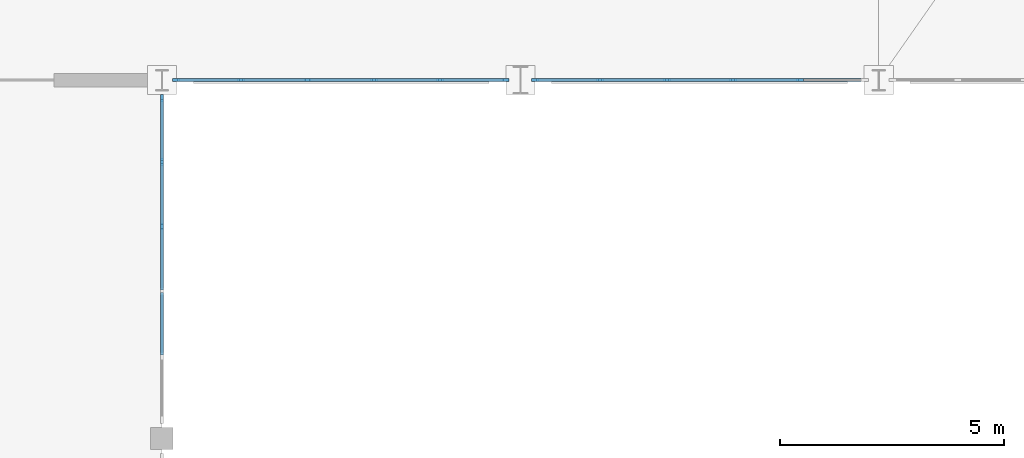
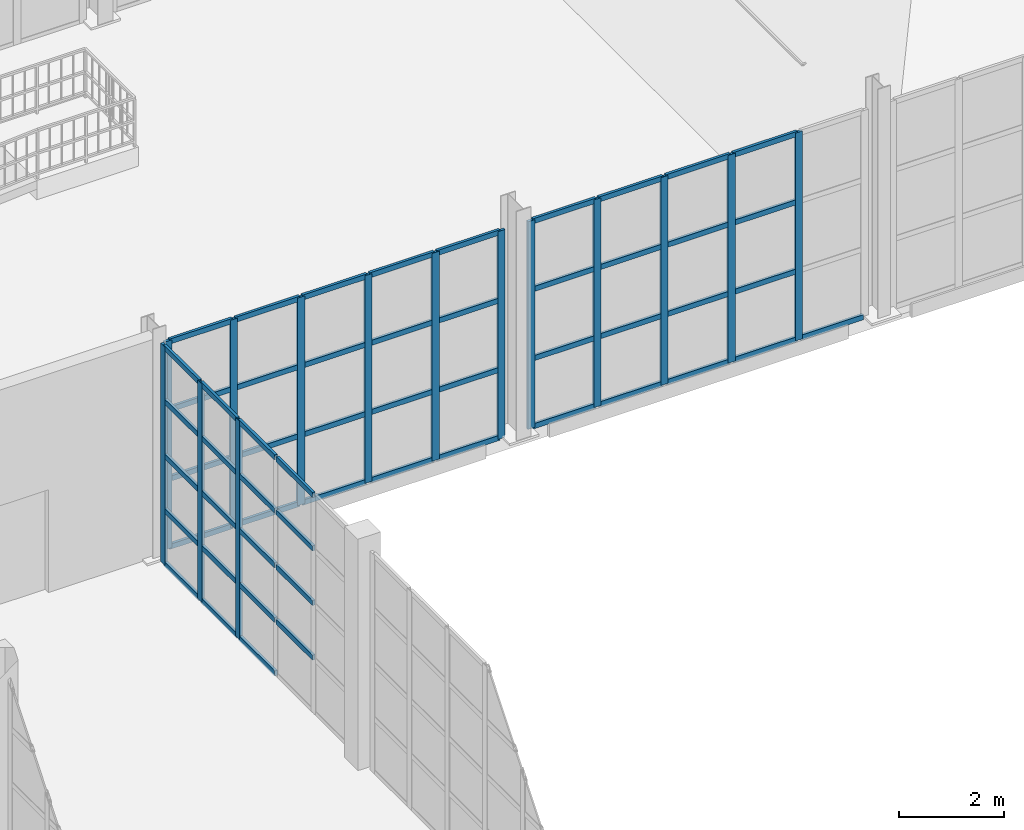
# One storey, part 41 of 82: 70 members, 3 elements without a shape of their own.
"""IFC4 building model written with IfcOpenShell, lengths in metres."""

from ifc_helpers import new_model, si_unit, direction, frame, origin, origin_2d, place, context, subcontext, project, spatial, rectangle, extrude, material, material_profile, profile_set, type_object, element, aggregate, save


model = new_model("IFC4")

# Units and contexts
model_context = context("Model", 3, precision=1e-05, world=origin(), true_north=direction((0.0, 1.0)))
body_context = subcontext(model_context, "Body", "Model", "MODEL_VIEW")
ifc_project = project(units=[si_unit("LENGTHUNIT", "METRE"), si_unit("AREAUNIT", "SQUARE_METRE"), si_unit("VOLUMEUNIT", "CUBIC_METRE"), si_unit("PLANEANGLEUNIT", "RADIAN"), si_unit("MASSUNIT", "GRAM", prefix="KILO")], contexts=[model_context])

# Site, building, storey
site_placement = place(None, origin())
site = spatial("IfcSite", under=ifc_project, at=site_placement, CompositionType="ELEMENT")
building_placement = place(site_placement, origin())
building = spatial("IfcBuilding", under=site, at=building_placement, Name="Serraluz Foothill Cableway Terminal", CompositionType="ELEMENT")
storey_placement = place(building_placement, frame((0.0, 0.0, 9.60009765625)))
storey = spatial("IfcBuildingStorey", under=building, at=storey_placement, Name="L02", CompositionType="ELEMENT", Elevation=9.60009765625)

# Curtain wall, members
ifc_material = material(Name="Architectural bronze alloy C28000", Category="aluminium")
curtain_wall_type_1 = type_object("IfcCurtainWallType", Name="TYP-CW-380X420", PredefinedType="NOTDEFINED", material=ifc_material)
curtain_wall_1_placement = place(storey_placement, origin())
curtain_wall_1 = element("IfcCurtainWall", 1, at=curtain_wall_1_placement, inside=storey, type_object=curtain_wall_type_1, Name="Ribbed Glazed Curtain Wall CW-V1S-L02-128", PredefinedType="NOTDEFINED")
ifc_material_profile_1 = material_profile(ifc_material, rectangle(XDim=0.06005859375, YDim=0.159912109375, at=origin_2d()), Name="ALU MULLION 60x160")
ifc_profile_set_1 = profile_set([ifc_material_profile_1], Name="Architectural bronze alloy C28000")
member_type_1 = type_object("IfcMemberType", Name="TYP-CW-MUL-60X160", PredefinedType="MULLION", material=ifc_profile_set_1)
member_1_placement = place(storey_placement, frame((135.66748046875, 56.0, 0.0), z_axis=(0.0, 0.0, 1.0), x_axis=(0.0, -1.0, 0.0)))
member_1 = element("IfcMember", 2, at=member_1_placement, type_object=member_type_1, Name="CW-17 mullion 1", PredefinedType="MULLION", context=body_context, shape_type="SweptSolid", body=[
    extrude(rectangle(XDim=0.06005859375, YDim=0.159912109375, at=origin_2d()), origin(), (0.0, 0.0, 1.0), 4.849853515625),
])
member_2_placement = place(storey_placement, frame((134.21435546875, 56.0, 0.0), z_axis=(0.0, 0.0, 1.0), x_axis=(0.0, -1.0, 0.0)))
member_2 = element("IfcMember", 3, at=member_2_placement, type_object=member_type_1, Name="CW-17 mullion 2", PredefinedType="MULLION", context=body_context, shape_type="SweptSolid", body=[
    extrude(rectangle(XDim=0.06005859375, YDim=0.159912109375, at=origin_2d()), origin(), (0.0, 0.0, 1.0), 4.849853515625),
])
member_3_placement = place(storey_placement, frame((132.731201171875, 56.0, 0.0), z_axis=(0.0, 0.0, 1.0), x_axis=(0.0, -1.0, 0.0)))
member_3 = element("IfcMember", 4, at=member_3_placement, type_object=member_type_1, Name="CW-17 mullion 3", PredefinedType="MULLION", context=body_context, shape_type="SweptSolid", body=[
    extrude(rectangle(XDim=0.06005859375, YDim=0.159912109375, at=origin_2d()), origin(), (0.0, 0.0, 1.0), 4.849853515625),
])
member_4_placement = place(storey_placement, frame((131.247802734375, 56.0, 0.0), z_axis=(0.0, 0.0, 1.0), x_axis=(0.0, -1.0, 0.0)))
member_4 = element("IfcMember", 5, at=member_4_placement, type_object=member_type_1, Name="CW-17 mullion 4", PredefinedType="MULLION", context=body_context, shape_type="SweptSolid", body=[
    extrude(rectangle(XDim=0.06005859375, YDim=0.159912109375, at=origin_2d()), origin(), (0.0, 0.0, 1.0), 4.849853515625),
])
member_5_placement = place(storey_placement, frame((129.7646484375, 56.0, 0.0), z_axis=(0.0, 0.0, 1.0), x_axis=(0.0, -1.0, 0.0)))
member_5 = element("IfcMember", 6, at=member_5_placement, type_object=member_type_1, Name="CW-17 mullion 5", PredefinedType="MULLION", context=body_context, shape_type="SweptSolid", body=[
    extrude(rectangle(XDim=0.06005859375, YDim=0.159912109375, at=origin_2d()), origin(), (0.0, 0.0, 1.0), 4.849853515625),
])
member_6_placement = place(storey_placement, frame((128.3115234375, 56.0, 0.0), z_axis=(0.0, 0.0, 1.0), x_axis=(0.0, -1.0, 0.0)))
member_6 = element("IfcMember", 7, at=member_6_placement, type_object=member_type_1, Name="CW-17 mullion 6", PredefinedType="MULLION", context=body_context, shape_type="SweptSolid", body=[
    extrude(rectangle(XDim=0.06005859375, YDim=0.159912109375, at=origin_2d()), origin(), (0.0, 0.0, 1.0), 4.849853515625),
])

curtain_wall_type_2 = type_object("IfcCurtainWallType", Name="TYP-CW-360X380", PredefinedType="NOTDEFINED", material=ifc_material)
curtain_wall_2_placement = place(storey_placement, origin())
curtain_wall_2 = element("IfcCurtainWall", 8, at=curtain_wall_2_placement, inside=storey, type_object=curtain_wall_type_2, Name="Ribbed Glazed Curtain Wall CW-V1S-L02-136", PredefinedType="NOTDEFINED")
member_7_placement = place(storey_placement, frame((142.2353515625, 56.0, 0.0), z_axis=(0.0, 0.0, 1.0), x_axis=(0.0, -1.0, 0.0)))
member_7 = element("IfcMember", 9, at=member_7_placement, type_object=member_type_1, Name="CW-18 mullion 2", PredefinedType="MULLION", context=body_context, shape_type="SweptSolid", body=[
    extrude(rectangle(XDim=0.06005859375, YDim=0.159912109375, at=origin_2d()), origin(), (0.0, 0.0, 1.0), 4.849853515625),
])
member_8_placement = place(storey_placement, frame((140.752197265625, 56.0, 0.0), z_axis=(0.0, 0.0, 1.0), x_axis=(0.0, -1.0, 0.0)))
member_8 = element("IfcMember", 10, at=member_8_placement, type_object=member_type_1, Name="CW-18 mullion 3", PredefinedType="MULLION", context=body_context, shape_type="SweptSolid", body=[
    extrude(rectangle(XDim=0.06005859375, YDim=0.159912109375, at=origin_2d()), origin(), (0.0, 0.0, 1.0), 4.849853515625),
])
member_9_placement = place(storey_placement, frame((139.268798828125, 56.0, 0.0), z_axis=(0.0, 0.0, 1.0), x_axis=(0.0, -1.0, 0.0)))
member_9 = element("IfcMember", 11, at=member_9_placement, type_object=member_type_1, Name="CW-18 mullion 4", PredefinedType="MULLION", context=body_context, shape_type="SweptSolid", body=[
    extrude(rectangle(XDim=0.06005859375, YDim=0.159912109375, at=origin_2d()), origin(), (0.0, 0.0, 1.0), 4.849853515625),
])
member_10_placement = place(storey_placement, frame((137.78564453125, 56.0, 0.0), z_axis=(0.0, 0.0, 1.0), x_axis=(0.0, -1.0, 0.0)))
member_10 = element("IfcMember", 12, at=member_10_placement, type_object=member_type_1, Name="CW-18 mullion 5", PredefinedType="MULLION", context=body_context, shape_type="SweptSolid", body=[
    extrude(rectangle(XDim=0.06005859375, YDim=0.159912109375, at=origin_2d()), origin(), (0.0, 0.0, 1.0), 4.849853515625),
])
member_11_placement = place(storey_placement, frame((136.33251953125, 56.0, 0.0), z_axis=(0.0, 0.0, 1.0), x_axis=(0.0, -1.0, 0.0)))
member_11 = element("IfcMember", 13, at=member_11_placement, type_object=member_type_1, Name="CW-18 mullion 6", PredefinedType="MULLION", context=body_context, shape_type="SweptSolid", body=[
    extrude(rectangle(XDim=0.06005859375, YDim=0.159912109375, at=origin_2d()), origin(), (0.0, 0.0, 1.0), 4.849853515625),
])

curtain_wall_type_3 = type_object("IfcCurtainWallType", Name="TYP-CW-710X420", PredefinedType="NOTDEFINED", material=ifc_material)
curtain_wall_3_placement = place(storey_placement, origin())
curtain_wall_3 = element("IfcCurtainWall", 14, at=curtain_wall_3_placement, inside=storey, type_object=curtain_wall_type_3, Name="Ribbed Glazed Curtain Wall CW-CLE-L02-48", PredefinedType="NOTDEFINED")
member_12_placement = place(storey_placement, frame((128.0, 55.593994140625, 0.0), z_axis=(0.0, 0.0, 1.0), x_axis=(1.0, 0.0, 0.0)))
member_12 = element("IfcMember", 15, at=member_12_placement, type_object=member_type_1, Name="CW-01 mullion 1", PredefinedType="MULLION", context=body_context, shape_type="SweptSolid", body=[
    extrude(rectangle(XDim=0.06005859375, YDim=0.159912109375, at=origin_2d()), origin(), (0.0, 0.0, 1.0), 5.099853515625),
])
member_13_placement = place(storey_placement, frame((128.0, 54.17724609375, 0.0), z_axis=(0.0, 0.0, 1.0), x_axis=(1.0, 0.0, 0.0)))
member_13 = element("IfcMember", 16, at=member_13_placement, type_object=member_type_1, Name="CW-01 mullion 2", PredefinedType="MULLION", context=body_context, shape_type="SweptSolid", body=[
    extrude(rectangle(XDim=0.06005859375, YDim=0.159912109375, at=origin_2d()), origin(), (0.0, 0.0, 1.0), 5.099853515625),
])
member_14_placement = place(storey_placement, frame((128.0, 52.73046875, 0.0), z_axis=(0.0, 0.0, 1.0), x_axis=(1.0, 0.0, 0.0)))
member_14 = element("IfcMember", 17, at=member_14_placement, type_object=member_type_1, Name="CW-01 mullion 3", PredefinedType="MULLION", context=body_context, shape_type="SweptSolid", body=[
    extrude(rectangle(XDim=0.06005859375, YDim=0.159912109375, at=origin_2d()), origin(), (0.0, 0.0, 1.0), 5.099853515625),
])

# Member
ifc_material_profile_2 = material_profile(ifc_material, rectangle(XDim=0.06005859375, YDim=0.1201171875, at=origin_2d()), Name="ALU TRANSOM 60x120")
ifc_profile_set_2 = profile_set([ifc_material_profile_2], Name="Architectural bronze alloy C28000")
member_type_2 = type_object("IfcMemberType", Name="TYP-CW-TRN-60X120", PredefinedType="USERDEFINED", material=ifc_profile_set_2)
member_15_placement = place(storey_placement, frame((135.637451171875, 56.0, 0.02978515625), z_axis=(-1.0, 0.0, 0.0), x_axis=(0.0, -1.0, 0.0)))
member_15 = element("IfcMember", 18, at=member_15_placement, type_object=member_type_2, Name="CW-17 transom 1.1", ObjectType="TRANSOM", PredefinedType="USERDEFINED", context=body_context, shape_type="SweptSolid", body=[
    extrude(rectangle(XDim=0.06005859375, YDim=0.1201171875, at=origin_2d()), origin(), (0.0, 0.0, 1.0), 1.39306640625),
])

member_16_placement = place(storey_placement, frame((135.637451171875, 56.0, 1.61669921875), z_axis=(-1.0, 0.0, 0.0), x_axis=(0.0, -1.0, 0.0)))
member_16 = element("IfcMember", 19, at=member_16_placement, type_object=member_type_2, Name="CW-17 transom 1.2", ObjectType="TRANSOM", PredefinedType="USERDEFINED", context=body_context, shape_type="SweptSolid", body=[
    extrude(rectangle(XDim=0.06005859375, YDim=0.1201171875, at=origin_2d()), origin(), (0.0, 0.0, 1.0), 1.39306640625),
])

member_17_placement = place(storey_placement, frame((135.637451171875, 56.0, 3.233154296875), z_axis=(-1.0, 0.0, 0.0), x_axis=(0.0, -1.0, 0.0)))
member_17 = element("IfcMember", 20, at=member_17_placement, type_object=member_type_2, Name="CW-17 transom 1.3", ObjectType="TRANSOM", PredefinedType="USERDEFINED", context=body_context, shape_type="SweptSolid", body=[
    extrude(rectangle(XDim=0.06005859375, YDim=0.1201171875, at=origin_2d()), origin(), (0.0, 0.0, 1.0), 1.39306640625),
])

member_18_placement = place(storey_placement, frame((135.637451171875, 56.0, 4.81982421875), z_axis=(-1.0, 0.0, 0.0), x_axis=(0.0, -1.0, 0.0)))
member_18 = element("IfcMember", 21, at=member_18_placement, type_object=member_type_2, Name="CW-17 transom 1.4", ObjectType="TRANSOM", PredefinedType="USERDEFINED", context=body_context, shape_type="SweptSolid", body=[
    extrude(rectangle(XDim=0.06005859375, YDim=0.1201171875, at=origin_2d()), origin(), (0.0, 0.0, 1.0), 1.39306640625),
])

member_19_placement = place(storey_placement, frame((134.184326171875, 56.0, 0.02978515625), z_axis=(-1.0, 0.0, 0.0), x_axis=(0.0, -1.0, 0.0)))
member_19 = element("IfcMember", 22, at=member_19_placement, type_object=member_type_2, Name="CW-17 transom 2.1", ObjectType="TRANSOM", PredefinedType="USERDEFINED", context=body_context, shape_type="SweptSolid", body=[
    extrude(rectangle(XDim=0.06005859375, YDim=0.1201171875, at=origin_2d()), origin(), (0.0, 0.0, 1.0), 1.42333984375),
])

member_20_placement = place(storey_placement, frame((134.184326171875, 56.0, 1.61669921875), z_axis=(-1.0, 0.0, 0.0), x_axis=(0.0, -1.0, 0.0)))
member_20 = element("IfcMember", 23, at=member_20_placement, type_object=member_type_2, Name="CW-17 transom 2.2", ObjectType="TRANSOM", PredefinedType="USERDEFINED", context=body_context, shape_type="SweptSolid", body=[
    extrude(rectangle(XDim=0.06005859375, YDim=0.1201171875, at=origin_2d()), origin(), (0.0, 0.0, 1.0), 1.42333984375),
])

member_21_placement = place(storey_placement, frame((134.184326171875, 56.0, 3.233154296875), z_axis=(-1.0, 0.0, 0.0), x_axis=(0.0, -1.0, 0.0)))
member_21 = element("IfcMember", 24, at=member_21_placement, type_object=member_type_2, Name="CW-17 transom 2.3", ObjectType="TRANSOM", PredefinedType="USERDEFINED", context=body_context, shape_type="SweptSolid", body=[
    extrude(rectangle(XDim=0.06005859375, YDim=0.1201171875, at=origin_2d()), origin(), (0.0, 0.0, 1.0), 1.42333984375),
])

member_22_placement = place(storey_placement, frame((134.184326171875, 56.0, 4.81982421875), z_axis=(-1.0, 0.0, 0.0), x_axis=(0.0, -1.0, 0.0)))
member_22 = element("IfcMember", 25, at=member_22_placement, type_object=member_type_2, Name="CW-17 transom 2.4", ObjectType="TRANSOM", PredefinedType="USERDEFINED", context=body_context, shape_type="SweptSolid", body=[
    extrude(rectangle(XDim=0.06005859375, YDim=0.1201171875, at=origin_2d()), origin(), (0.0, 0.0, 1.0), 1.42333984375),
])

member_23_placement = place(storey_placement, frame((132.701171875, 56.0, 0.02978515625), z_axis=(-1.0, 0.0, 0.0), x_axis=(0.0, -1.0, 0.0)))
member_23 = element("IfcMember", 26, at=member_23_placement, type_object=member_type_2, Name="CW-17 transom 3.1", ObjectType="TRANSOM", PredefinedType="USERDEFINED", context=body_context, shape_type="SweptSolid", body=[
    extrude(rectangle(XDim=0.06005859375, YDim=0.1201171875, at=origin_2d()), origin(), (0.0, 0.0, 1.0), 1.42333984375),
])

member_24_placement = place(storey_placement, frame((132.701171875, 56.0, 1.61669921875), z_axis=(-1.0, 0.0, 0.0), x_axis=(0.0, -1.0, 0.0)))
member_24 = element("IfcMember", 27, at=member_24_placement, type_object=member_type_2, Name="CW-17 transom 3.2", ObjectType="TRANSOM", PredefinedType="USERDEFINED", context=body_context, shape_type="SweptSolid", body=[
    extrude(rectangle(XDim=0.06005859375, YDim=0.1201171875, at=origin_2d()), origin(), (0.0, 0.0, 1.0), 1.42333984375),
])

member_25_placement = place(storey_placement, frame((132.701171875, 56.0, 3.233154296875), z_axis=(-1.0, 0.0, 0.0), x_axis=(0.0, -1.0, 0.0)))
member_25 = element("IfcMember", 28, at=member_25_placement, type_object=member_type_2, Name="CW-17 transom 3.3", ObjectType="TRANSOM", PredefinedType="USERDEFINED", context=body_context, shape_type="SweptSolid", body=[
    extrude(rectangle(XDim=0.06005859375, YDim=0.1201171875, at=origin_2d()), origin(), (0.0, 0.0, 1.0), 1.42333984375),
])

member_26_placement = place(storey_placement, frame((132.701171875, 56.0, 4.81982421875), z_axis=(-1.0, 0.0, 0.0), x_axis=(0.0, -1.0, 0.0)))
member_26 = element("IfcMember", 29, at=member_26_placement, type_object=member_type_2, Name="CW-17 transom 3.4", ObjectType="TRANSOM", PredefinedType="USERDEFINED", context=body_context, shape_type="SweptSolid", body=[
    extrude(rectangle(XDim=0.06005859375, YDim=0.1201171875, at=origin_2d()), origin(), (0.0, 0.0, 1.0), 1.42333984375),
])

member_27_placement = place(storey_placement, frame((131.218017578125, 56.0, 0.02978515625), z_axis=(-1.0, 0.0, 0.0), x_axis=(0.0, -1.0, 0.0)))
member_27 = element("IfcMember", 30, at=member_27_placement, type_object=member_type_2, Name="CW-17 transom 4.1", ObjectType="TRANSOM", PredefinedType="USERDEFINED", context=body_context, shape_type="SweptSolid", body=[
    extrude(rectangle(XDim=0.06005859375, YDim=0.1201171875, at=origin_2d()), origin(), (0.0, 0.0, 1.0), 1.42333984375),
])

member_28_placement = place(storey_placement, frame((131.218017578125, 56.0, 1.61669921875), z_axis=(-1.0, 0.0, 0.0), x_axis=(0.0, -1.0, 0.0)))
member_28 = element("IfcMember", 31, at=member_28_placement, type_object=member_type_2, Name="CW-17 transom 4.2", ObjectType="TRANSOM", PredefinedType="USERDEFINED", context=body_context, shape_type="SweptSolid", body=[
    extrude(rectangle(XDim=0.06005859375, YDim=0.1201171875, at=origin_2d()), origin(), (0.0, 0.0, 1.0), 1.42333984375),
])

member_29_placement = place(storey_placement, frame((131.218017578125, 56.0, 3.233154296875), z_axis=(-1.0, 0.0, 0.0), x_axis=(0.0, -1.0, 0.0)))
member_29 = element("IfcMember", 32, at=member_29_placement, type_object=member_type_2, Name="CW-17 transom 4.3", ObjectType="TRANSOM", PredefinedType="USERDEFINED", context=body_context, shape_type="SweptSolid", body=[
    extrude(rectangle(XDim=0.06005859375, YDim=0.1201171875, at=origin_2d()), origin(), (0.0, 0.0, 1.0), 1.42333984375),
])

member_30_placement = place(storey_placement, frame((131.218017578125, 56.0, 4.81982421875), z_axis=(-1.0, 0.0, 0.0), x_axis=(0.0, -1.0, 0.0)))
member_30 = element("IfcMember", 33, at=member_30_placement, type_object=member_type_2, Name="CW-17 transom 4.4", ObjectType="TRANSOM", PredefinedType="USERDEFINED", context=body_context, shape_type="SweptSolid", body=[
    extrude(rectangle(XDim=0.06005859375, YDim=0.1201171875, at=origin_2d()), origin(), (0.0, 0.0, 1.0), 1.42333984375),
])

member_31_placement = place(storey_placement, frame((129.734619140625, 56.0, 0.02978515625), z_axis=(-1.0, 0.0, 0.0), x_axis=(0.0, -1.0, 0.0)))
member_31 = element("IfcMember", 34, at=member_31_placement, type_object=member_type_2, Name="CW-17 transom 5.1", ObjectType="TRANSOM", PredefinedType="USERDEFINED", context=body_context, shape_type="SweptSolid", body=[
    extrude(rectangle(XDim=0.06005859375, YDim=0.1201171875, at=origin_2d()), origin(), (0.0, 0.0, 1.0), 1.39306640625),
])

member_32_placement = place(storey_placement, frame((129.734619140625, 56.0, 1.61669921875), z_axis=(-1.0, 0.0, 0.0), x_axis=(0.0, -1.0, 0.0)))
member_32 = element("IfcMember", 35, at=member_32_placement, type_object=member_type_2, Name="CW-17 transom 5.2", ObjectType="TRANSOM", PredefinedType="USERDEFINED", context=body_context, shape_type="SweptSolid", body=[
    extrude(rectangle(XDim=0.06005859375, YDim=0.1201171875, at=origin_2d()), origin(), (0.0, 0.0, 1.0), 1.39306640625),
])

member_33_placement = place(storey_placement, frame((129.734619140625, 56.0, 3.233154296875), z_axis=(-1.0, 0.0, 0.0), x_axis=(0.0, -1.0, 0.0)))
member_33 = element("IfcMember", 36, at=member_33_placement, type_object=member_type_2, Name="CW-17 transom 5.3", ObjectType="TRANSOM", PredefinedType="USERDEFINED", context=body_context, shape_type="SweptSolid", body=[
    extrude(rectangle(XDim=0.06005859375, YDim=0.1201171875, at=origin_2d()), origin(), (0.0, 0.0, 1.0), 1.39306640625),
])

member_34_placement = place(storey_placement, frame((129.734619140625, 56.0, 4.81982421875), z_axis=(-1.0, 0.0, 0.0), x_axis=(0.0, -1.0, 0.0)))
member_34 = element("IfcMember", 37, at=member_34_placement, type_object=member_type_2, Name="CW-17 transom 5.4", ObjectType="TRANSOM", PredefinedType="USERDEFINED", context=body_context, shape_type="SweptSolid", body=[
    extrude(rectangle(XDim=0.06005859375, YDim=0.1201171875, at=origin_2d()), origin(), (0.0, 0.0, 1.0), 1.39306640625),
])

aggregate(curtain_wall_1, [member_1, member_2, member_3, member_4, member_5, member_6, member_15, member_16, member_17, member_18, member_19, member_20, member_21, member_22, member_23, member_24, member_25, member_26, member_27, member_28, member_29, member_30, member_31, member_32, member_33, member_34])

member_35_placement = place(storey_placement, frame((143.658447265625, 56.0, 0.02978515625), z_axis=(-1.0, 0.0, 0.0), x_axis=(0.0, -1.0, 0.0)))
member_35 = element("IfcMember", 38, at=member_35_placement, type_object=member_type_2, Name="CW-18 transom 1.1", ObjectType="TRANSOM", PredefinedType="USERDEFINED", context=body_context, shape_type="SweptSolid", body=[
    extrude(rectangle(XDim=0.06005859375, YDim=0.1201171875, at=origin_2d()), origin(), (0.0, 0.0, 1.0), 1.39306640625),
])

member_36_placement = place(storey_placement, frame((142.205322265625, 56.0, 0.02978515625), z_axis=(-1.0, 0.0, 0.0), x_axis=(0.0, -1.0, 0.0)))
member_36 = element("IfcMember", 39, at=member_36_placement, type_object=member_type_2, Name="CW-18 transom 2.1", ObjectType="TRANSOM", PredefinedType="USERDEFINED", context=body_context, shape_type="SweptSolid", body=[
    extrude(rectangle(XDim=0.06005859375, YDim=0.1201171875, at=origin_2d()), origin(), (0.0, 0.0, 1.0), 1.42333984375),
])

member_37_placement = place(storey_placement, frame((142.205322265625, 56.0, 1.61669921875), z_axis=(-1.0, 0.0, 0.0), x_axis=(0.0, -1.0, 0.0)))
member_37 = element("IfcMember", 40, at=member_37_placement, type_object=member_type_2, Name="CW-18 transom 2.2", ObjectType="TRANSOM", PredefinedType="USERDEFINED", context=body_context, shape_type="SweptSolid", body=[
    extrude(rectangle(XDim=0.06005859375, YDim=0.1201171875, at=origin_2d()), origin(), (0.0, 0.0, 1.0), 1.42333984375),
])

member_38_placement = place(storey_placement, frame((142.205322265625, 56.0, 3.233154296875), z_axis=(-1.0, 0.0, 0.0), x_axis=(0.0, -1.0, 0.0)))
member_38 = element("IfcMember", 41, at=member_38_placement, type_object=member_type_2, Name="CW-18 transom 2.3", ObjectType="TRANSOM", PredefinedType="USERDEFINED", context=body_context, shape_type="SweptSolid", body=[
    extrude(rectangle(XDim=0.06005859375, YDim=0.1201171875, at=origin_2d()), origin(), (0.0, 0.0, 1.0), 1.42333984375),
])

member_39_placement = place(storey_placement, frame((142.205322265625, 56.0, 4.81982421875), z_axis=(-1.0, 0.0, 0.0), x_axis=(0.0, -1.0, 0.0)))
member_39 = element("IfcMember", 42, at=member_39_placement, type_object=member_type_2, Name="CW-18 transom 2.4", ObjectType="TRANSOM", PredefinedType="USERDEFINED", context=body_context, shape_type="SweptSolid", body=[
    extrude(rectangle(XDim=0.06005859375, YDim=0.1201171875, at=origin_2d()), origin(), (0.0, 0.0, 1.0), 1.42333984375),
])

member_40_placement = place(storey_placement, frame((140.72216796875, 56.0, 0.02978515625), z_axis=(-1.0, 0.0, 0.0), x_axis=(0.0, -1.0, 0.0)))
member_40 = element("IfcMember", 43, at=member_40_placement, type_object=member_type_2, Name="CW-18 transom 3.1", ObjectType="TRANSOM", PredefinedType="USERDEFINED", context=body_context, shape_type="SweptSolid", body=[
    extrude(rectangle(XDim=0.06005859375, YDim=0.1201171875, at=origin_2d()), origin(), (0.0, 0.0, 1.0), 1.42333984375),
])

member_41_placement = place(storey_placement, frame((140.72216796875, 56.0, 1.61669921875), z_axis=(-1.0, 0.0, 0.0), x_axis=(0.0, -1.0, 0.0)))
member_41 = element("IfcMember", 44, at=member_41_placement, type_object=member_type_2, Name="CW-18 transom 3.2", ObjectType="TRANSOM", PredefinedType="USERDEFINED", context=body_context, shape_type="SweptSolid", body=[
    extrude(rectangle(XDim=0.06005859375, YDim=0.1201171875, at=origin_2d()), origin(), (0.0, 0.0, 1.0), 1.42333984375),
])

member_42_placement = place(storey_placement, frame((140.72216796875, 56.0, 3.233154296875), z_axis=(-1.0, 0.0, 0.0), x_axis=(0.0, -1.0, 0.0)))
member_42 = element("IfcMember", 45, at=member_42_placement, type_object=member_type_2, Name="CW-18 transom 3.3", ObjectType="TRANSOM", PredefinedType="USERDEFINED", context=body_context, shape_type="SweptSolid", body=[
    extrude(rectangle(XDim=0.06005859375, YDim=0.1201171875, at=origin_2d()), origin(), (0.0, 0.0, 1.0), 1.42333984375),
])

member_43_placement = place(storey_placement, frame((140.72216796875, 56.0, 4.81982421875), z_axis=(-1.0, 0.0, 0.0), x_axis=(0.0, -1.0, 0.0)))
member_43 = element("IfcMember", 46, at=member_43_placement, type_object=member_type_2, Name="CW-18 transom 3.4", ObjectType="TRANSOM", PredefinedType="USERDEFINED", context=body_context, shape_type="SweptSolid", body=[
    extrude(rectangle(XDim=0.06005859375, YDim=0.1201171875, at=origin_2d()), origin(), (0.0, 0.0, 1.0), 1.42333984375),
])

member_44_placement = place(storey_placement, frame((139.239013671875, 56.0, 0.02978515625), z_axis=(-1.0, 0.0, 0.0), x_axis=(0.0, -1.0, 0.0)))
member_44 = element("IfcMember", 47, at=member_44_placement, type_object=member_type_2, Name="CW-18 transom 4.1", ObjectType="TRANSOM", PredefinedType="USERDEFINED", context=body_context, shape_type="SweptSolid", body=[
    extrude(rectangle(XDim=0.06005859375, YDim=0.1201171875, at=origin_2d()), origin(), (0.0, 0.0, 1.0), 1.42333984375),
])

member_45_placement = place(storey_placement, frame((139.239013671875, 56.0, 1.61669921875), z_axis=(-1.0, 0.0, 0.0), x_axis=(0.0, -1.0, 0.0)))
member_45 = element("IfcMember", 48, at=member_45_placement, type_object=member_type_2, Name="CW-18 transom 4.2", ObjectType="TRANSOM", PredefinedType="USERDEFINED", context=body_context, shape_type="SweptSolid", body=[
    extrude(rectangle(XDim=0.06005859375, YDim=0.1201171875, at=origin_2d()), origin(), (0.0, 0.0, 1.0), 1.42333984375),
])

member_46_placement = place(storey_placement, frame((139.239013671875, 56.0, 3.233154296875), z_axis=(-1.0, 0.0, 0.0), x_axis=(0.0, -1.0, 0.0)))
member_46 = element("IfcMember", 49, at=member_46_placement, type_object=member_type_2, Name="CW-18 transom 4.3", ObjectType="TRANSOM", PredefinedType="USERDEFINED", context=body_context, shape_type="SweptSolid", body=[
    extrude(rectangle(XDim=0.06005859375, YDim=0.1201171875, at=origin_2d()), origin(), (0.0, 0.0, 1.0), 1.42333984375),
])

member_47_placement = place(storey_placement, frame((139.239013671875, 56.0, 4.81982421875), z_axis=(-1.0, 0.0, 0.0), x_axis=(0.0, -1.0, 0.0)))
member_47 = element("IfcMember", 50, at=member_47_placement, type_object=member_type_2, Name="CW-18 transom 4.4", ObjectType="TRANSOM", PredefinedType="USERDEFINED", context=body_context, shape_type="SweptSolid", body=[
    extrude(rectangle(XDim=0.06005859375, YDim=0.1201171875, at=origin_2d()), origin(), (0.0, 0.0, 1.0), 1.42333984375),
])

member_48_placement = place(storey_placement, frame((137.755615234375, 56.0, 0.02978515625), z_axis=(-1.0, 0.0, 0.0), x_axis=(0.0, -1.0, 0.0)))
member_48 = element("IfcMember", 51, at=member_48_placement, type_object=member_type_2, Name="CW-18 transom 5.1", ObjectType="TRANSOM", PredefinedType="USERDEFINED", context=body_context, shape_type="SweptSolid", body=[
    extrude(rectangle(XDim=0.06005859375, YDim=0.1201171875, at=origin_2d()), origin(), (0.0, 0.0, 1.0), 1.39306640625),
])

member_49_placement = place(storey_placement, frame((137.755615234375, 56.0, 1.61669921875), z_axis=(-1.0, 0.0, 0.0), x_axis=(0.0, -1.0, 0.0)))
member_49 = element("IfcMember", 52, at=member_49_placement, type_object=member_type_2, Name="CW-18 transom 5.2", ObjectType="TRANSOM", PredefinedType="USERDEFINED", context=body_context, shape_type="SweptSolid", body=[
    extrude(rectangle(XDim=0.06005859375, YDim=0.1201171875, at=origin_2d()), origin(), (0.0, 0.0, 1.0), 1.39306640625),
])

member_50_placement = place(storey_placement, frame((137.755615234375, 56.0, 3.233154296875), z_axis=(-1.0, 0.0, 0.0), x_axis=(0.0, -1.0, 0.0)))
member_50 = element("IfcMember", 53, at=member_50_placement, type_object=member_type_2, Name="CW-18 transom 5.3", ObjectType="TRANSOM", PredefinedType="USERDEFINED", context=body_context, shape_type="SweptSolid", body=[
    extrude(rectangle(XDim=0.06005859375, YDim=0.1201171875, at=origin_2d()), origin(), (0.0, 0.0, 1.0), 1.39306640625),
])

member_51_placement = place(storey_placement, frame((137.755615234375, 56.0, 4.81982421875), z_axis=(-1.0, 0.0, 0.0), x_axis=(0.0, -1.0, 0.0)))
member_51 = element("IfcMember", 54, at=member_51_placement, type_object=member_type_2, Name="CW-18 transom 5.4", ObjectType="TRANSOM", PredefinedType="USERDEFINED", context=body_context, shape_type="SweptSolid", body=[
    extrude(rectangle(XDim=0.06005859375, YDim=0.1201171875, at=origin_2d()), origin(), (0.0, 0.0, 1.0), 1.39306640625),
])

aggregate(curtain_wall_2, [member_7, member_8, member_9, member_10, member_11, member_35, member_36, member_37, member_38, member_39, member_40, member_41, member_42, member_43, member_44, member_45, member_46, member_47, member_48, member_49, member_50, member_51])

member_52_placement = place(storey_placement, frame((128.0, 55.56396484375, 0.02978515625), z_axis=(0.0, -1.0, 0.0), x_axis=(1.0, 0.0, 0.0)))
member_52 = element("IfcMember", 55, at=member_52_placement, type_object=member_type_2, Name="CW-01 transom 1.1", ObjectType="TRANSOM", PredefinedType="USERDEFINED", context=body_context, shape_type="SweptSolid", body=[
    extrude(rectangle(XDim=0.06005859375, YDim=0.1201171875, at=origin_2d()), origin(), (0.0, 0.0, 1.0), 1.356689453125),
])

member_53_placement = place(storey_placement, frame((128.0, 55.56396484375, 1.27490234375), z_axis=(0.0, -1.0, 0.0), x_axis=(1.0, 0.0, 0.0)))
member_53 = element("IfcMember", 56, at=member_53_placement, type_object=member_type_2, Name="CW-01 transom 1.2", ObjectType="TRANSOM", PredefinedType="USERDEFINED", context=body_context, shape_type="SweptSolid", body=[
    extrude(rectangle(XDim=0.06005859375, YDim=0.1201171875, at=origin_2d()), origin(), (0.0, 0.0, 1.0), 1.356689453125),
])

member_54_placement = place(storey_placement, frame((128.0, 55.56396484375, 2.5498046875), z_axis=(0.0, -1.0, 0.0), x_axis=(1.0, 0.0, 0.0)))
member_54 = element("IfcMember", 57, at=member_54_placement, type_object=member_type_2, Name="CW-01 transom 1.3", ObjectType="TRANSOM", PredefinedType="USERDEFINED", context=body_context, shape_type="SweptSolid", body=[
    extrude(rectangle(XDim=0.06005859375, YDim=0.1201171875, at=origin_2d()), origin(), (0.0, 0.0, 1.0), 1.356689453125),
])

member_55_placement = place(storey_placement, frame((128.0, 55.56396484375, 3.824951171875), z_axis=(0.0, -1.0, 0.0), x_axis=(1.0, 0.0, 0.0)))
member_55 = element("IfcMember", 58, at=member_55_placement, type_object=member_type_2, Name="CW-01 transom 1.4", ObjectType="TRANSOM", PredefinedType="USERDEFINED", context=body_context, shape_type="SweptSolid", body=[
    extrude(rectangle(XDim=0.06005859375, YDim=0.1201171875, at=origin_2d()), origin(), (0.0, 0.0, 1.0), 1.356689453125),
])

member_56_placement = place(storey_placement, frame((128.0, 55.56396484375, 5.06982421875), z_axis=(0.0, -1.0, 0.0), x_axis=(1.0, 0.0, 0.0)))
member_56 = element("IfcMember", 59, at=member_56_placement, type_object=member_type_2, Name="CW-01 transom 1.5", ObjectType="TRANSOM", PredefinedType="USERDEFINED", context=body_context, shape_type="SweptSolid", body=[
    extrude(rectangle(XDim=0.06005859375, YDim=0.1201171875, at=origin_2d()), origin(), (0.0, 0.0, 1.0), 1.356689453125),
])

member_57_placement = place(storey_placement, frame((128.0, 54.147216796875, 0.02978515625), z_axis=(0.0, -1.0, 0.0), x_axis=(1.0, 0.0, 0.0)))
member_57 = element("IfcMember", 60, at=member_57_placement, type_object=member_type_2, Name="CW-01 transom 2.1", ObjectType="TRANSOM", PredefinedType="USERDEFINED", context=body_context, shape_type="SweptSolid", body=[
    extrude(rectangle(XDim=0.06005859375, YDim=0.1201171875, at=origin_2d()), origin(), (0.0, 0.0, 1.0), 1.38671875),
])

member_58_placement = place(storey_placement, frame((128.0, 54.147216796875, 1.27490234375), z_axis=(0.0, -1.0, 0.0), x_axis=(1.0, 0.0, 0.0)))
member_58 = element("IfcMember", 61, at=member_58_placement, type_object=member_type_2, Name="CW-01 transom 2.2", ObjectType="TRANSOM", PredefinedType="USERDEFINED", context=body_context, shape_type="SweptSolid", body=[
    extrude(rectangle(XDim=0.06005859375, YDim=0.1201171875, at=origin_2d()), origin(), (0.0, 0.0, 1.0), 1.38671875),
])

member_59_placement = place(storey_placement, frame((128.0, 54.147216796875, 2.5498046875), z_axis=(0.0, -1.0, 0.0), x_axis=(1.0, 0.0, 0.0)))
member_59 = element("IfcMember", 62, at=member_59_placement, type_object=member_type_2, Name="CW-01 transom 2.3", ObjectType="TRANSOM", PredefinedType="USERDEFINED", context=body_context, shape_type="SweptSolid", body=[
    extrude(rectangle(XDim=0.06005859375, YDim=0.1201171875, at=origin_2d()), origin(), (0.0, 0.0, 1.0), 1.38671875),
])

member_60_placement = place(storey_placement, frame((128.0, 54.147216796875, 3.824951171875), z_axis=(0.0, -1.0, 0.0), x_axis=(1.0, 0.0, 0.0)))
member_60 = element("IfcMember", 63, at=member_60_placement, type_object=member_type_2, Name="CW-01 transom 2.4", ObjectType="TRANSOM", PredefinedType="USERDEFINED", context=body_context, shape_type="SweptSolid", body=[
    extrude(rectangle(XDim=0.06005859375, YDim=0.1201171875, at=origin_2d()), origin(), (0.0, 0.0, 1.0), 1.38671875),
])

member_61_placement = place(storey_placement, frame((128.0, 54.147216796875, 5.06982421875), z_axis=(0.0, -1.0, 0.0), x_axis=(1.0, 0.0, 0.0)))
member_61 = element("IfcMember", 64, at=member_61_placement, type_object=member_type_2, Name="CW-01 transom 2.5", ObjectType="TRANSOM", PredefinedType="USERDEFINED", context=body_context, shape_type="SweptSolid", body=[
    extrude(rectangle(XDim=0.06005859375, YDim=0.1201171875, at=origin_2d()), origin(), (0.0, 0.0, 1.0), 1.38671875),
])

member_62_placement = place(storey_placement, frame((128.0, 52.700439453125, 0.02978515625), z_axis=(0.0, -1.0, 0.0), x_axis=(1.0, 0.0, 0.0)))
member_62 = element("IfcMember", 65, at=member_62_placement, type_object=member_type_2, Name="CW-01 transom 3.1", ObjectType="TRANSOM", PredefinedType="USERDEFINED", context=body_context, shape_type="SweptSolid", body=[
    extrude(rectangle(XDim=0.06005859375, YDim=0.1201171875, at=origin_2d()), origin(), (0.0, 0.0, 1.0), 1.38671875),
])

member_63_placement = place(storey_placement, frame((128.0, 52.700439453125, 1.27490234375), z_axis=(0.0, -1.0, 0.0), x_axis=(1.0, 0.0, 0.0)))
member_63 = element("IfcMember", 66, at=member_63_placement, type_object=member_type_2, Name="CW-01 transom 3.2", ObjectType="TRANSOM", PredefinedType="USERDEFINED", context=body_context, shape_type="SweptSolid", body=[
    extrude(rectangle(XDim=0.06005859375, YDim=0.1201171875, at=origin_2d()), origin(), (0.0, 0.0, 1.0), 1.38671875),
])

member_64_placement = place(storey_placement, frame((128.0, 52.700439453125, 2.5498046875), z_axis=(0.0, -1.0, 0.0), x_axis=(1.0, 0.0, 0.0)))
member_64 = element("IfcMember", 67, at=member_64_placement, type_object=member_type_2, Name="CW-01 transom 3.3", ObjectType="TRANSOM", PredefinedType="USERDEFINED", context=body_context, shape_type="SweptSolid", body=[
    extrude(rectangle(XDim=0.06005859375, YDim=0.1201171875, at=origin_2d()), origin(), (0.0, 0.0, 1.0), 1.38671875),
])

member_65_placement = place(storey_placement, frame((128.0, 52.700439453125, 3.824951171875), z_axis=(0.0, -1.0, 0.0), x_axis=(1.0, 0.0, 0.0)))
member_65 = element("IfcMember", 68, at=member_65_placement, type_object=member_type_2, Name="CW-01 transom 3.4", ObjectType="TRANSOM", PredefinedType="USERDEFINED", context=body_context, shape_type="SweptSolid", body=[
    extrude(rectangle(XDim=0.06005859375, YDim=0.1201171875, at=origin_2d()), origin(), (0.0, 0.0, 1.0), 1.38671875),
])

member_66_placement = place(storey_placement, frame((128.0, 52.700439453125, 5.06982421875), z_axis=(0.0, -1.0, 0.0), x_axis=(1.0, 0.0, 0.0)))
member_66 = element("IfcMember", 69, at=member_66_placement, type_object=member_type_2, Name="CW-01 transom 3.5", ObjectType="TRANSOM", PredefinedType="USERDEFINED", context=body_context, shape_type="SweptSolid", body=[
    extrude(rectangle(XDim=0.06005859375, YDim=0.1201171875, at=origin_2d()), origin(), (0.0, 0.0, 1.0), 1.38671875),
])

member_67_placement = place(storey_placement, frame((128.0, 51.253662109375, 1.27490234375), z_axis=(0.0, -1.0, 0.0), x_axis=(1.0, 0.0, 0.0)))
member_67 = element("IfcMember", 70, at=member_67_placement, type_object=member_type_2, Name="CW-01 transom 4.2", ObjectType="TRANSOM", PredefinedType="USERDEFINED", context=body_context, shape_type="SweptSolid", body=[
    extrude(rectangle(XDim=0.06005859375, YDim=0.1201171875, at=origin_2d()), origin(), (0.0, 0.0, 1.0), 1.386962890625),
])

member_68_placement = place(storey_placement, frame((128.0, 51.253662109375, 2.5498046875), z_axis=(0.0, -1.0, 0.0), x_axis=(1.0, 0.0, 0.0)))
member_68 = element("IfcMember", 71, at=member_68_placement, type_object=member_type_2, Name="CW-01 transom 4.3", ObjectType="TRANSOM", PredefinedType="USERDEFINED", context=body_context, shape_type="SweptSolid", body=[
    extrude(rectangle(XDim=0.06005859375, YDim=0.1201171875, at=origin_2d()), origin(), (0.0, 0.0, 1.0), 1.386962890625),
])

member_69_placement = place(storey_placement, frame((128.0, 51.253662109375, 3.824951171875), z_axis=(0.0, -1.0, 0.0), x_axis=(1.0, 0.0, 0.0)))
member_69 = element("IfcMember", 72, at=member_69_placement, type_object=member_type_2, Name="CW-01 transom 4.4", ObjectType="TRANSOM", PredefinedType="USERDEFINED", context=body_context, shape_type="SweptSolid", body=[
    extrude(rectangle(XDim=0.06005859375, YDim=0.1201171875, at=origin_2d()), origin(), (0.0, 0.0, 1.0), 1.386962890625),
])

member_70_placement = place(storey_placement, frame((128.0, 51.253662109375, 5.06982421875), z_axis=(0.0, -1.0, 0.0), x_axis=(1.0, 0.0, 0.0)))
member_70 = element("IfcMember", 73, at=member_70_placement, type_object=member_type_2, Name="CW-01 transom 4.5", ObjectType="TRANSOM", PredefinedType="USERDEFINED", context=body_context, shape_type="SweptSolid", body=[
    extrude(rectangle(XDim=0.06005859375, YDim=0.1201171875, at=origin_2d()), origin(), (0.0, 0.0, 1.0), 1.386962890625),
])

aggregate(curtain_wall_3, [member_12, member_13, member_14, member_52, member_53, member_54, member_55, member_56, member_57, member_58, member_59, member_60, member_61, member_62, member_63, member_64, member_65, member_66, member_67, member_68, member_69, member_70])

save(model, "model.ifc")
